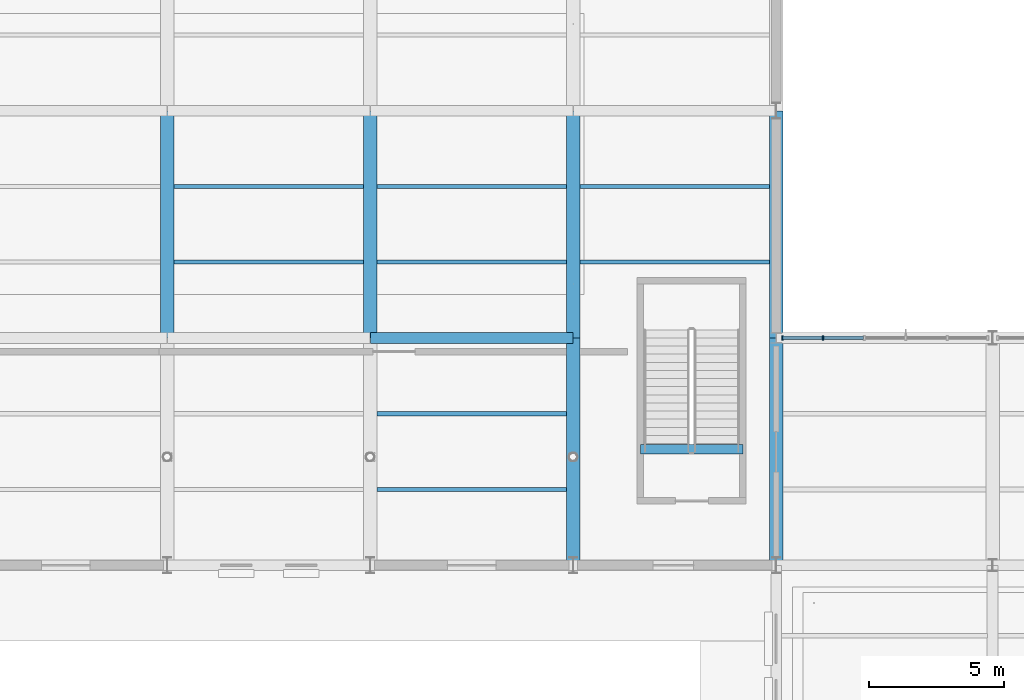
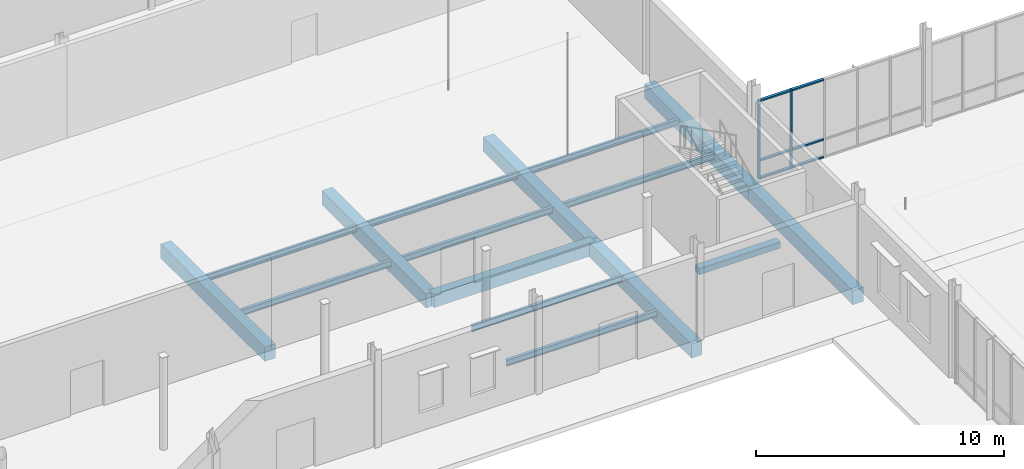
# One storey, part 30 of 82: 16 beams, 8 members, 1 element without a shape of its own.
"""IFC4 building model written with IfcOpenShell, lengths in metres."""

from ifc_helpers import new_model, si_unit, direction, frame, origin, origin_2d, place, context, subcontext, project, spatial, rectangle, i_section, extrude, material, layer, layer_set, material_profile, profile_set, type_object, element, aggregate, save


model = new_model("IFC4")

# Units and contexts
model_context = context("Model", 3, precision=1e-05, world=origin(), true_north=direction((0.0, 1.0)))
body_context = subcontext(model_context, "Body", "Model", "MODEL_VIEW")
ifc_project = project(units=[si_unit("LENGTHUNIT", "METRE"), si_unit("AREAUNIT", "SQUARE_METRE"), si_unit("VOLUMEUNIT", "CUBIC_METRE"), si_unit("PLANEANGLEUNIT", "RADIAN"), si_unit("MASSUNIT", "GRAM", prefix="KILO")], contexts=[model_context])

# Site, building, storey
site_placement = place(None, origin())
site = spatial("IfcSite", under=ifc_project, at=site_placement, CompositionType="ELEMENT")
building_placement = place(site_placement, origin())
building = spatial("IfcBuilding", under=site, at=building_placement, Name="Yukiwa Park Conservatory and Herbarium", CompositionType="ELEMENT")
storey_placement = place(building_placement, origin())
storey = spatial("IfcBuildingStorey", under=building, at=storey_placement, Name="L00", CompositionType="ELEMENT", Elevation=0.0)

# Beams
ifc_material_1 = material(Name="Steel Q355D", Category="steel")
ifc_material_profile_1 = material_profile(ifc_material_1, i_section(OverallWidth=0.14892578125, OverallDepth=0.298095703125, WebThickness=0.005615234375, FlangeThickness=0.008056640625, FilletRadius=0.012939453125, at=origin_2d()), Name="HN 298x149x5.5x8")
ifc_profile_set_1 = profile_set([ifc_material_profile_1], Name="Steel Q355D")
beam_type_1 = type_object("IfcBeamType", Name="BM-JST-HN298", PredefinedType="JOIST", material=ifc_profile_set_1)
for number, where, z_axis, x_axis, name in (
    (1, (37.74609375, 89.199951171875, -0.408935546875), (1.0, 0.0, 0.0), (0.0, 1.0, 0.0), "L00 composite floor joist 61"),
    (2, (37.74609375, 92.0, -0.408935546875), (1.0, 0.0, 0.0), (0.0, 1.0, 0.0), "L00 composite floor joist 62"),
    (3, (45.24609375, 80.800048828125, -0.408935546875), (1.0, 0.0, 0.0), (0.0, 1.0, 0.0), "L00 composite floor joist 73"),
    (4, (45.24609375, 83.60009765625, -0.408935546875), (1.0, 0.0, 0.0), (0.0, 1.0, 0.0), "L00 composite floor joist 74"),
    (5, (45.24609375, 89.199951171875, -0.408935546875), (1.0, 0.0, 0.0), (0.0, 1.0, 0.0), "L00 composite floor joist 75"),
    (6, (45.24609375, 92.0, -0.408935546875), (1.0, 0.0, 0.0), (0.0, 1.0, 0.0), "L00 composite floor joist 76"),
    (7, (52.74609375, 89.199951171875, -0.408935546875), (1.0, 0.0, 0.0), (0.0, 1.0, 0.0), "L00 composite floor joist 85"),
    (8, (52.74609375, 92.0, -0.408935546875), (1.0, 0.0, 0.0), (0.0, 1.0, 0.0), "L00 composite floor joist 86"),
):
    element("IfcBeam", number, at=place(storey_placement, frame(where, z_axis=z_axis, x_axis=x_axis)), inside=storey, type_object=beam_type_1, Name=name, PredefinedType="JOIST", context=body_context, shape_type="SweptSolid", body=[
        extrude(i_section(OverallWidth=0.14892578125, OverallDepth=0.298095703125, WebThickness=0.005615234375, FlangeThickness=0.008056640625, FilletRadius=0.012939453125, at=origin_2d()), origin(), (0.0, 0.0, 1.0), 7.0078125),
    ])
ifc_material_2 = material(Name="Concrete C40", Category="concrete")
ifc_material_profile_2 = material_profile(ifc_material_2, rectangle(XDim=0.39990234375, YDim=0.64990234375, at=origin_2d()), Name="RC 400x650")
ifc_profile_set_2 = profile_set([ifc_material_profile_2], Name="Concrete C40")
beam_type_2 = type_object("IfcBeamType", Name="BM-RC-400X650", PredefinedType="BEAM", material=ifc_profile_set_2)
beam_1_placement = place(storey_placement, frame((45.006103515625, 86.39990234375, -0.5849609375), z_axis=(1.0, 0.0, 0.0), x_axis=(0.0, 1.0, 0.0)))
element("IfcBeam", 9, at=beam_1_placement, inside=storey, type_object=beam_type_2, Name="L00 grid beam X-108", PredefinedType="BEAM", context=body_context, shape_type="SweptSolid", body=[
    extrude(rectangle(XDim=0.39990234375, YDim=0.64990234375, at=origin_2d()), origin(), (0.0, 0.0, 1.0), 7.48779296875),
])
ifc_material_3 = material(Name="Concrete C40", Category="concrete")
ifc_material_profile_3 = material_profile(ifc_material_3, rectangle(XDim=0.5, YDim=0.699951171875, at=origin_2d()), Name="RC 500x700")
ifc_profile_set_3 = profile_set([ifc_material_profile_3], Name="Concrete C40")
beam_type_3 = type_object("IfcBeamType", Name="BM-RC-500X700", PredefinedType="BEAM", material=ifc_profile_set_3)
for number, where, z_axis, x_axis, name in (
    (10, (37.5, 86.406005859375, -0.610107421875), (0.0, 1.0, 0.0), (-1.0, 0.0, 0.0), "L00 grid girder Y-190"),
    (11, (45.0, 86.406005859375, -0.610107421875), (0.0, 1.0, 0.0), (-1.0, 0.0, 0.0), "L00 grid girder Y-198"),
    (12, (52.5, 78.006103515625, -0.610107421875), (0.0, 1.0, 0.0), (-1.0, 0.0, 0.0), "L00 grid girder Y-205"),
    (13, (52.5, 86.406005859375, -0.610107421875), (0.0, 1.0, 0.0), (-1.0, 0.0, 0.0), "L00 grid girder Y-206"),
    (14, (60.0, 78.006103515625, -0.610107421875), (0.0, 1.0, 0.0), (-1.0, 0.0, 0.0), "L00 grid girder Y-217"),
    (15, (60.0, 86.406005859375, -0.610107421875), (0.0, 1.0, 0.0), (-1.0, 0.0, 0.0), "L00 grid girder Y-218"),
):
    element("IfcBeam", number, at=place(storey_placement, frame(where, z_axis=z_axis, x_axis=x_axis)), inside=storey, type_object=beam_type_3, Name=name, PredefinedType="BEAM", context=body_context, shape_type="SweptSolid", body=[
        extrude(rectangle(XDim=0.5, YDim=0.699951171875, at=origin_2d()), origin(), (0.0, 0.0, 1.0), 8.387939453125),
    ])
ifc_material_4 = material(Name="Concrete C40", Category="concrete")
ifc_material_profile_4 = material_profile(ifc_material_4, rectangle(XDim=0.35009765625, YDim=0.300048828125, at=origin_2d()), Name="RC 350x300")
ifc_profile_set_4 = profile_set([ifc_material_profile_4], Name="Concrete C40")
beam_type_4 = type_object("IfcBeamType", Name="BM-STAIR-TRIM", PredefinedType="BEAM", material=ifc_profile_set_4)
beam_2_placement = place(storey_placement, frame((54.97998046875, 82.280029296875, -0.14990234375), z_axis=(1.0, 0.0, 0.0), x_axis=(0.0, 1.0, 0.0)))
element("IfcBeam", 16, at=beam_2_placement, inside=storey, type_object=beam_type_4, Name="Stair ST-A2 L00 landing trimmer beam", PredefinedType="BEAM", context=body_context, shape_type="SweptSolid", body=[
    extrude(rectangle(XDim=0.35009765625, YDim=0.300048828125, at=origin_2d()), origin(), (0.0, 0.0, 1.0), 3.7900390625),
])

# Curtain wall, members
ifc_material_5 = material(Name="Triple Low-E Insulated Glass", Category="glass")
ifc_layer = layer(ifc_material_5, 0.236083984375)
ifc_layer_set = layer_set([ifc_layer], Name="Triple Low-E Insulated Glass")
curtain_wall_type = type_object("IfcCurtainWallType", Name="CW-LINK-1500", PredefinedType="NOTDEFINED", material=ifc_layer_set)
curtain_wall_placement = place(storey_placement, origin())
curtain_wall = element("IfcCurtainWall", 17, at=curtain_wall_placement, inside=storey, type_object=curtain_wall_type, Name="L00 unitised curtain wall CW-L00-016", PredefinedType="NOTDEFINED")
ifc_material_6 = material(Name="Anodised Aluminium", Category="aluminium")
member_type_1 = type_object("IfcMemberType", Name="MB-CW-MUL-70X150", PredefinedType="MULLION", material=ifc_material_6)
member_1_placement = place(storey_placement, frame((61.72998046875, 86.39990234375, 0.0), z_axis=(0.0, 0.0, 1.0), x_axis=(-1.0, 0.0, 0.0)))
member_1 = element("IfcMember", 18, at=member_1_placement, type_object=member_type_1, Name="CW-L00-016 mullion 5", PredefinedType="MULLION", context=body_context, shape_type="SweptSolid", body=[
    extrude(rectangle(XDim=0.070068359375, YDim=0.14990234375, at=origin_2d()), origin(), (0.0, 0.0, 1.0), 3.867919921875),
])
member_2_placement = place(storey_placement, frame((60.235107421875, 86.39990234375, 0.0), z_axis=(0.0, 0.0, 1.0), x_axis=(-1.0, 0.0, 0.0)))
member_2 = element("IfcMember", 19, at=member_2_placement, type_object=member_type_1, Name="CW-L00-016 mullion 6", PredefinedType="MULLION", context=body_context, shape_type="SweptSolid", body=[
    extrude(rectangle(XDim=0.070068359375, YDim=0.14990234375, at=origin_2d()), origin(), (0.0, 0.0, 1.0), 3.867919921875),
])
ifc_material_7 = material(Name="Anodised Aluminium", Category="aluminium")
member_type_2 = type_object("IfcMemberType", Name="MB-CW-TRN-70X130", PredefinedType="USERDEFINED", material=ifc_material_7)
member_3_placement = place(storey_placement, frame((62.4951171875, 86.39990234375, 0.0), z_axis=(0.0, 0.0, 1.0), x_axis=(-1.0, 0.0, 0.0)))
member_3 = element("IfcMember", 20, at=member_3_placement, type_object=member_type_2, Name="CW-L00-016 transom 4.1", ObjectType="TRANSOM", PredefinedType="USERDEFINED", context=body_context, shape_type="SweptSolid", body=[
    extrude(rectangle(XDim=1.4599609375, YDim=0.1298828125, at=origin_2d()), origin(), (0.0, 0.0, 1.0), 0.070068359375),
])
member_4_placement = place(storey_placement, frame((62.4951171875, 86.39990234375, 0.86474609375), z_axis=(0.0, 0.0, 1.0), x_axis=(-1.0, 0.0, 0.0)))
member_4 = element("IfcMember", 21, at=member_4_placement, type_object=member_type_2, Name="CW-L00-016 transom 4.2", ObjectType="TRANSOM", PredefinedType="USERDEFINED", context=body_context, shape_type="SweptSolid", body=[
    extrude(rectangle(XDim=1.4599609375, YDim=0.1298828125, at=origin_2d()), origin(), (0.0, 0.0, 1.0), 0.070068359375),
])
member_5_placement = place(storey_placement, frame((62.4951171875, 86.39990234375, 3.7978515625), z_axis=(0.0, 0.0, 1.0), x_axis=(-1.0, 0.0, 0.0)))
member_5 = element("IfcMember", 22, at=member_5_placement, type_object=member_type_2, Name="CW-L00-016 transom 4.3", ObjectType="TRANSOM", PredefinedType="USERDEFINED", context=body_context, shape_type="SweptSolid", body=[
    extrude(rectangle(XDim=1.4599609375, YDim=0.1298828125, at=origin_2d()), origin(), (0.0, 0.0, 1.0), 0.070068359375),
])
member_6_placement = place(storey_placement, frame((60.965087890625, 86.39990234375, 0.0), z_axis=(0.0, 0.0, 1.0), x_axis=(-1.0, 0.0, 0.0)))
member_6 = element("IfcMember", 23, at=member_6_placement, type_object=member_type_2, Name="CW-L00-016 transom 5.1", ObjectType="TRANSOM", PredefinedType="USERDEFINED", context=body_context, shape_type="SweptSolid", body=[
    extrude(rectangle(XDim=1.4599609375, YDim=0.1298828125, at=origin_2d()), origin(), (0.0, 0.0, 1.0), 0.070068359375),
])
member_7_placement = place(storey_placement, frame((60.965087890625, 86.39990234375, 0.86474609375), z_axis=(0.0, 0.0, 1.0), x_axis=(-1.0, 0.0, 0.0)))
member_7 = element("IfcMember", 24, at=member_7_placement, type_object=member_type_2, Name="CW-L00-016 transom 5.2", ObjectType="TRANSOM", PredefinedType="USERDEFINED", context=body_context, shape_type="SweptSolid", body=[
    extrude(rectangle(XDim=1.4599609375, YDim=0.1298828125, at=origin_2d()), origin(), (0.0, 0.0, 1.0), 0.070068359375),
])
member_8_placement = place(storey_placement, frame((60.965087890625, 86.39990234375, 3.7978515625), z_axis=(0.0, 0.0, 1.0), x_axis=(-1.0, 0.0, 0.0)))
member_8 = element("IfcMember", 25, at=member_8_placement, type_object=member_type_2, Name="CW-L00-016 transom 5.3", ObjectType="TRANSOM", PredefinedType="USERDEFINED", context=body_context, shape_type="SweptSolid", body=[
    extrude(rectangle(XDim=1.4599609375, YDim=0.1298828125, at=origin_2d()), origin(), (0.0, 0.0, 1.0), 0.070068359375),
])
aggregate(curtain_wall, [member_1, member_2, member_3, member_4, member_5, member_6, member_7, member_8])

save(model, "model.ifc")
